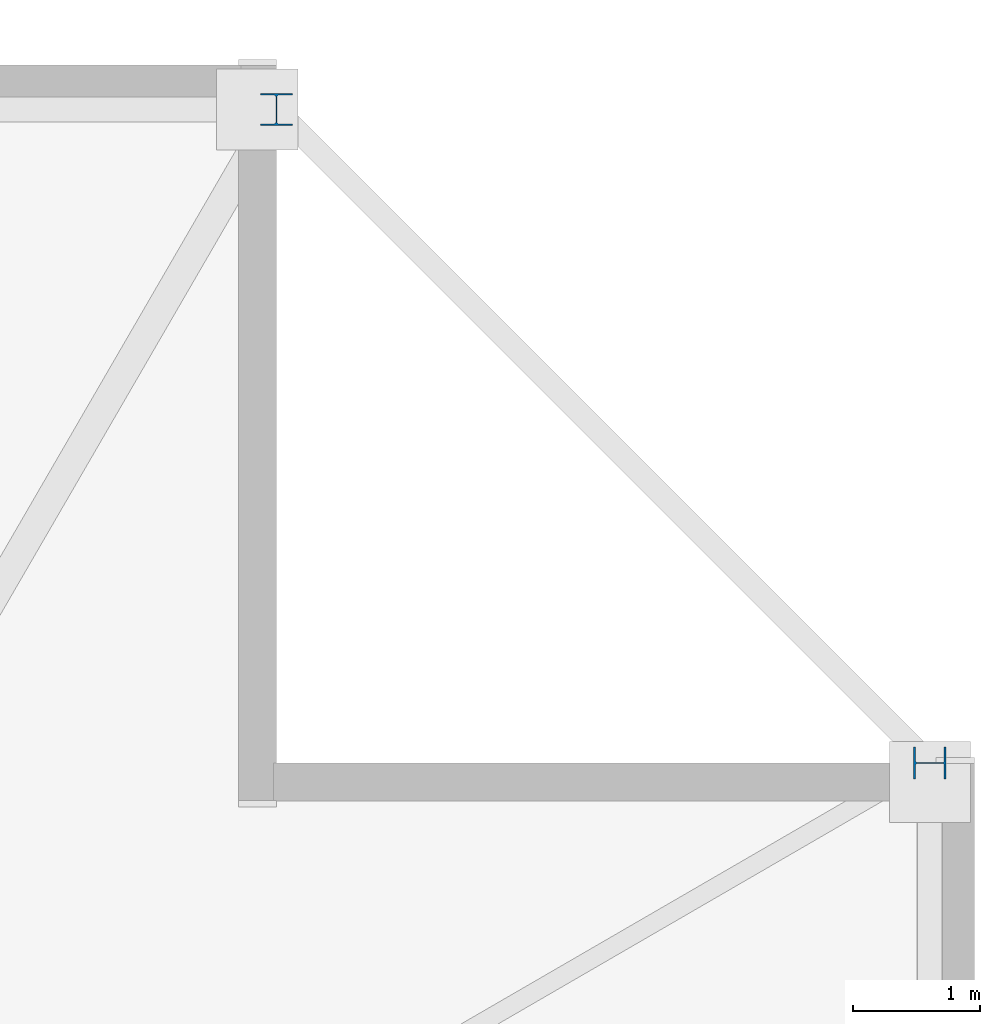
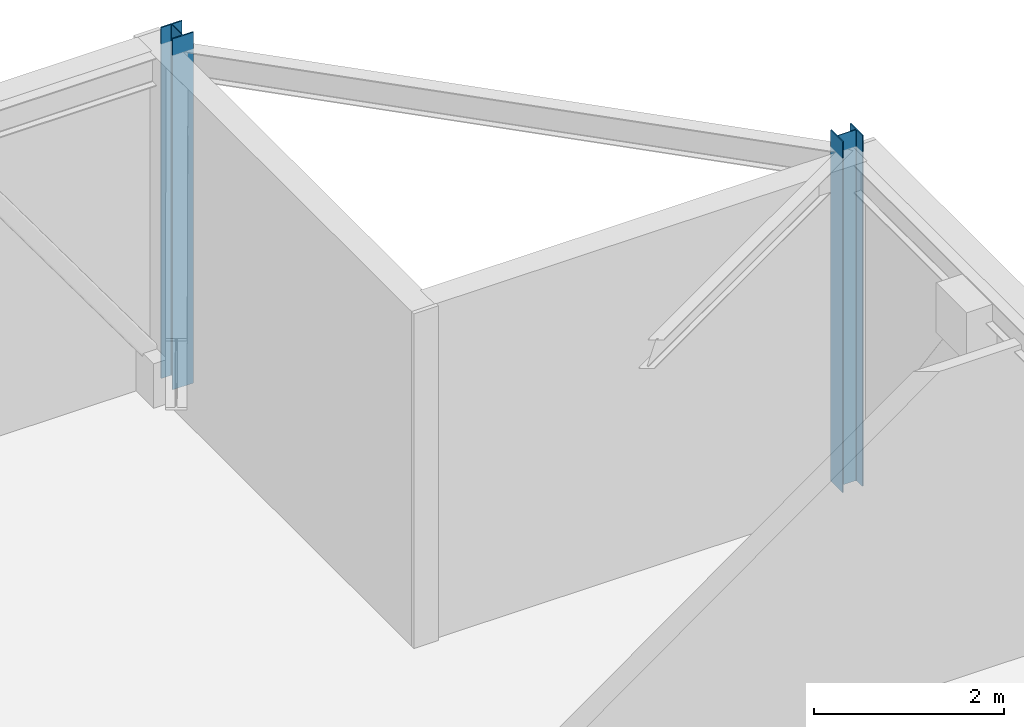
# One storey, part 5 of 16: 2 columns.
"""IFC4 building model written with IfcOpenShell, lengths in metres."""

from ifc_helpers import new_model, si_unit, direction, frame, origin, origin_2d, place, context, subcontext, project, spatial, i_section, extrude, material, material_profile, profile_set, type_object, element, save


model = new_model("IFC4")

# Units and contexts
model_context = context("Model", 3, precision=1e-05, world=origin(), true_north=direction((0.0, 1.0)))
body_context = subcontext(model_context, "Body", "Model", "MODEL_VIEW")
ifc_project = project(units=[si_unit("LENGTHUNIT", "METRE"), si_unit("AREAUNIT", "SQUARE_METRE"), si_unit("VOLUMEUNIT", "CUBIC_METRE"), si_unit("PLANEANGLEUNIT", "RADIAN"), si_unit("MASSUNIT", "GRAM", prefix="KILO")], contexts=[model_context])

# Site, building, storey
site_placement = place(None, origin())
site = spatial("IfcSite", under=ifc_project, at=site_placement, CompositionType="ELEMENT")
building_placement = place(site_placement, origin())
building = spatial("IfcBuilding", under=site, at=building_placement, Name="Cairnveth Concourse Tower", CompositionType="ELEMENT")
storey_placement = place(building_placement, frame((0.0, 0.0, 315.5)))
storey = spatial("IfcBuildingStorey", under=building, at=storey_placement, Name="L87", CompositionType="ELEMENT", Elevation=315.5)

# Columns
ifc_material = material(Name="Steel Grade 350", Category="steel")
ifc_material_profile = material_profile(ifc_material, i_section(OverallWidth=0.25390625, OverallDepth=0.25390625, WebThickness=0.008544921875, FlangeThickness=0.01416015625, FilletRadius=0.012939453125, at=origin_2d()), Name="250UC72.9")
ifc_profile_set = profile_set([ifc_material_profile], Name="Steel Grade 350")
column_type = type_object("IfcColumnType", Name="UNIVERSAL STEEL COLUMN 250UC72.9", PredefinedType="COLUMN", material=ifc_profile_set)
for number, where, z_axis, x_axis, name in (
    (1, (72.64990234375, 54.5, 0.0), (0.0, 0.0, 1.0), (0.0, 1.0, 0.0), "Column P-E4 L87"),
    (2, (67.5, 59.64990234375, 0.0), (0.0, 0.0, 1.0), (1.0, 0.0, 0.0), "Column P-N1 L87"),
):
    element("IfcColumn", number, at=place(storey_placement, frame(where, z_axis=z_axis, x_axis=x_axis)), inside=storey, type_object=column_type, Name=name, PredefinedType="COLUMN", context=body_context, shape_type="SweptSolid", body=[
        extrude(i_section(OverallWidth=0.25390625, OverallDepth=0.25390625, WebThickness=0.008544921875, FlangeThickness=0.01416015625, FilletRadius=0.012939453125, at=origin_2d()), origin(), (0.0, 0.0, 1.0), 4.5),
    ])

save(model, "model.ifc")
